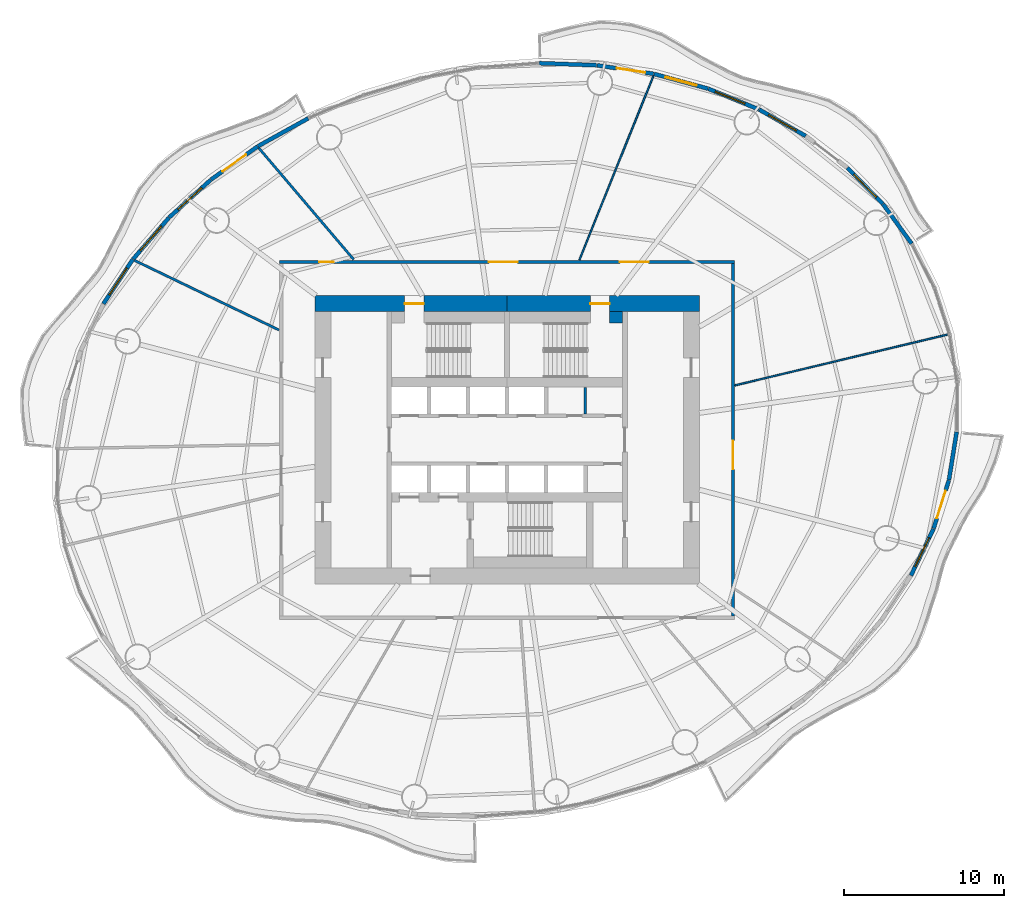
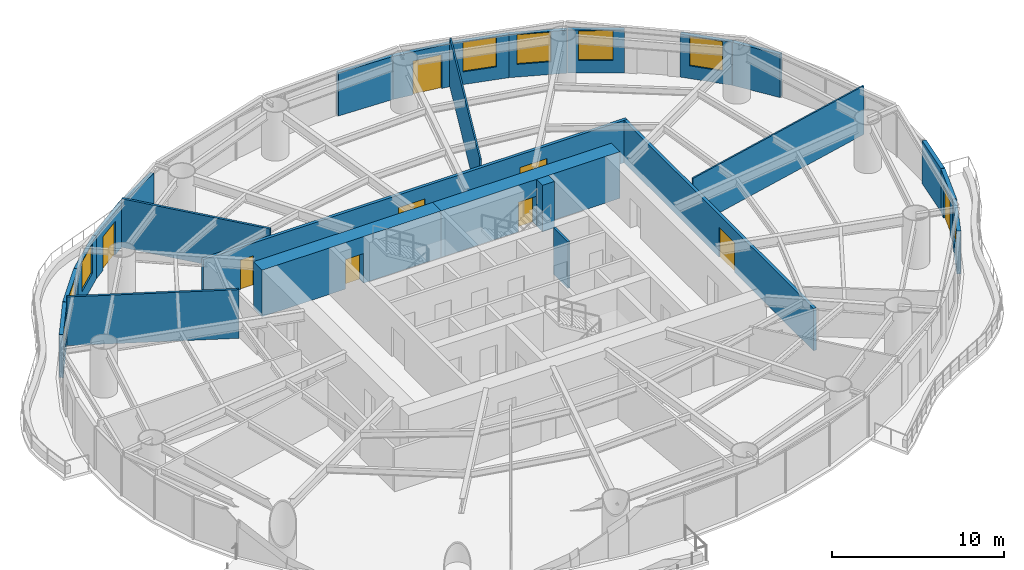
# One storey, part 10 of 16: 25 walls, 9 doors, 8 windows, 17 openings.
"""IFC4 building model written with IfcOpenShell, lengths in metres."""

from ifc_helpers import new_model, si_unit, direction, frame, frame_2d, origin, place, context, subcontext, project, spatial, rectangle, extrude, material, layer, layer_set, type_object, element, fill, save


model = new_model("IFC4")

# Units and contexts
model_context = context("Model", 3, precision=1e-05, world=origin(), true_north=direction((0.0, 1.0)))
body_context = subcontext(model_context, "Body", "Model", "MODEL_VIEW")
ifc_project = project(units=[si_unit("LENGTHUNIT", "METRE"), si_unit("AREAUNIT", "SQUARE_METRE"), si_unit("VOLUMEUNIT", "CUBIC_METRE"), si_unit("PLANEANGLEUNIT", "RADIAN"), si_unit("MASSUNIT", "GRAM", prefix="KILO")], contexts=[model_context])

# Site, building, storey
site_placement = place(None, origin())
site = spatial("IfcSite", under=ifc_project, at=site_placement, CompositionType="ELEMENT")
building_placement = place(site_placement, origin())
building = spatial("IfcBuilding", under=site, at=building_placement, Name="Vermilion Reach Broadcast Tower", CompositionType="ELEMENT")
storey_placement = place(building_placement, frame((0.0, 0.0, 88.60009765625)))
storey = spatial("IfcBuildingStorey", under=building, at=storey_placement, Name="L19", CompositionType="ELEMENT", Elevation=88.60009765625)

# Wall, opening, door
ifc_material_1 = material(Name="Concrete C70", Category="concrete")
ifc_layer_1 = layer(ifc_material_1, 1.0)
ifc_layer_set_1 = layer_set([ifc_layer_1], Name="Core outer wall 1000 mm Concrete C70")
wall_type_1 = type_object("IfcWallType", Name="Core outer wall 1000 mm Concrete C70", PredefinedType="SHEAR", material=ifc_layer_set_1)
wall_1_placement = place(storey_placement, frame((6.0, 8.5, 0.0), z_axis=(0.0, 0.0, 1.0), x_axis=(-1.0, 0.0, 0.0)))
wall_1 = element("IfcWall", 1, at=wall_1_placement, inside=storey, type_object=wall_type_1, Name="L19 core wall onE", PredefinedType="SHEAR", context=body_context, shape_type="SweptSolid", body=[
    extrude(rectangle(XDim=12.0, YDim=1.0, at=frame_2d((6.0, 0.0))), origin(), (0.0, 0.0, 1.0), 3.2998046875),
])
opening_1_placement = place(wall_1_placement, frame((5.60009765625, 0.0, 0.0)))
opening_1 = element("IfcOpeningElement", 2, at=opening_1_placement, cuts=wall_1, Name="Opening D01", PredefinedType="OPENING", context=body_context, shape_type="SweptSolid", body=[
    extrude(rectangle(XDim=1.199951171875, YDim=2.10009765625, at=frame_2d((0.60009765625, 1.050048828125))), frame((0.0, 0.510009765625, 0.0), z_axis=(0.0, -1.0, 0.0), x_axis=(1.0, 0.0, 0.0)), (0.0, 0.0, 1.0), 1.02001953125),
])
ifc_material_2 = material(Name="Painted steel fire door", Category="steel")
door_type_1 = type_object("IfcDoorType", Name="Stair door 1200 x 2100", OperationType="DOUBLE_DOOR_SINGLE_SWING", PredefinedType="NOTDEFINED", material=ifc_material_2)
door_1_placement = place(opening_1_placement, origin())
door_1 = element("IfcDoor", 3, at=door_1_placement, inside=storey, type_object=door_type_1, Name="L19 stair door ST2", OperationType="DOUBLE_DOOR_SINGLE_SWING", OverallHeight=2.10009765625, OverallWidth=1.199951171875, PredefinedType="NOTDEFINED", context=body_context, shape_type="SweptSolid", body=[
    extrude(rectangle(XDim=1.199951171875, YDim=2.10009765625, at=frame_2d((0.60009765625, 1.050048828125))), frame((0.0, 0.02490234375, 0.0), z_axis=(0.0, -1.0, 0.0), x_axis=(1.0, 0.0, 0.0)), (0.0, 0.0, 1.0), 0.050048828125),
])
fill(opening_1, door_1)

wall_2_placement = place(storey_placement, frame((-6.0, 8.5, 0.0), z_axis=(0.0, 0.0, 1.0), x_axis=(-1.0, 0.0, 0.0)))
wall_2 = element("IfcWall", 4, at=wall_2_placement, inside=storey, type_object=wall_type_1, Name="L19 core wall onW", PredefinedType="SHEAR", context=body_context, shape_type="SweptSolid", body=[
    extrude(rectangle(XDim=12.0, YDim=1.0, at=frame_2d((6.0, 0.0))), origin(), (0.0, 0.0, 1.0), 3.2998046875),
])
opening_2_placement = place(wall_2_placement, frame((5.199951171875, 0.0, 0.0)))
opening_2 = element("IfcOpeningElement", 5, at=opening_2_placement, cuts=wall_2, Name="Opening D01", PredefinedType="OPENING", context=body_context, shape_type="SweptSolid", body=[
    extrude(rectangle(XDim=1.199951171875, YDim=2.10009765625, at=frame_2d((0.60009765625, 1.050048828125))), frame((0.0, 0.510009765625, 0.0), z_axis=(0.0, -1.0, 0.0), x_axis=(1.0, 0.0, 0.0)), (0.0, 0.0, 1.0), 1.02001953125),
])
door_2_placement = place(opening_2_placement, origin())
door_2 = element("IfcDoor", 6, at=door_2_placement, inside=storey, type_object=door_type_1, Name="L19 stair door ST1", OperationType="DOUBLE_DOOR_SINGLE_SWING", OverallHeight=2.10009765625, OverallWidth=1.199951171875, PredefinedType="NOTDEFINED", context=body_context, shape_type="SweptSolid", body=[
    extrude(rectangle(XDim=1.199951171875, YDim=2.10009765625, at=frame_2d((0.60009765625, 1.050048828125))), frame((0.0, 0.02490234375, 0.0), z_axis=(0.0, -1.0, 0.0), x_axis=(1.0, 0.0, 0.0)), (0.0, 0.0, 1.0), 0.050048828125),
])
fill(opening_2, door_2)

# Walls
ifc_material_3 = material(Name="Masonry block", Category="masonry")
ifc_layer_2 = layer(ifc_material_3, 0.14990234375)
ifc_layer_set_2 = layer_set([ifc_layer_2], Name="Core partition wall 150 mm Masonry block")
wall_type_2 = type_object("IfcWallType", Name="Core partition wall 150 mm Masonry block", PredefinedType="PARTITIONING", material=ifc_layer_set_2)
wall_3_placement = place(storey_placement, frame((-1.11669921875, 1.60009765625, 0.0), z_axis=(0.0, 0.0, 1.0), x_axis=(0.0, 1.0, 0.0)))
element("IfcWall", 7, at=wall_3_placement, inside=storey, type_object=wall_type_2, Name="L19 core wall prN4883", PredefinedType="PARTITIONING", context=body_context, shape_type="SweptSolid", body=[
    extrude(rectangle(XDim=1.679931640625, YDim=0.14990234375, at=frame_2d((0.83984375, 0.0))), origin(), (0.0, 0.0, 1.0), 3.2998046875),
])
ifc_material_4 = material(Name="Concrete C70", Category="concrete")
ifc_layer_3 = layer(ifc_material_4, 0.699951171875)
ifc_layer_set_3 = layer_set([ifc_layer_3], Name="Core stair wall 700 mm Concrete C70")
wall_type_3 = type_object("IfcWallType", Name="Core stair wall 700 mm Concrete C70", PredefinedType="SHEAR", material=ifc_layer_set_3)
wall_4_placement = place(storey_placement, frame((0.39990234375, 7.64990234375, 0.0), z_axis=(0.0, 0.0, 1.0), x_axis=(1.0, 0.0, 0.0)))
element("IfcWall", 8, at=wall_4_placement, inside=storey, type_object=wall_type_3, Name="L19 core wall l2b", PredefinedType="SHEAR", context=body_context, shape_type="SweptSolid", body=[
    extrude(rectangle(XDim=0.800048828125, YDim=0.699951171875, at=frame_2d((0.39990234375, 0.0))), origin(), (0.0, 0.0, 1.0), 3.2998046875),
])
ifc_material_5 = material(Name="Plasterboard on steel stud", Category="steel")
ifc_layer_4 = layer(ifc_material_5, 0.10009765625)
ifc_layer_set_4 = layer_set([ifc_layer_4], Name="Partition 100 steel stud")
wall_type_4 = type_object("IfcWallType", Name="Partition 100 steel stud", PredefinedType="PARTITIONING", material=ifc_layer_set_4)
wall_5_placement = place(storey_placement, frame((21.483642578125, 6.56787109375, 0.0), z_axis=(0.0, 0.0, 1.0), x_axis=(-0.972613719836, -0.232427519856, 0.0)))
element("IfcWall", 9, at=wall_5_placement, inside=storey, type_object=wall_type_4, Name="Partition 19.01", PredefinedType="PARTITIONING", context=body_context, shape_type="SweptSolid", body=[
    extrude(rectangle(XDim=13.645751953125, YDim=0.10009765625, at=frame_2d((6.82275390625, 0.0))), origin(), (0.0, 0.0, 1.0), 3.449951171875),
])
wall_6_placement = place(storey_placement, frame((3.130126953125, 22.71484375, 0.0), z_axis=(0.0, 0.0, 1.0), x_axis=(-0.372949536222, -0.927851627919, 0.0)))
element("IfcWall", 10, at=wall_6_placement, inside=storey, type_object=wall_type_4, Name="Partition 19.02", PredefinedType="PARTITIONING", context=body_context, shape_type="SweptSolid", body=[
    extrude(rectangle(XDim=12.389892578125, YDim=0.10009765625, at=frame_2d((6.19482421875, 0.0))), origin(), (0.0, 0.0, 1.0), 3.449951171875),
])
ifc_material_6 = material(Name="Lightweight concrete block, plastered", Category="concrete")
ifc_layer_5 = layer(ifc_material_6, 0.14990234375)
ifc_layer_set_5 = layer_set([ifc_layer_5], Name="Partition 150 lightweight block")
wall_type_5 = type_object("IfcWallType", Name="Partition 150 lightweight block", PredefinedType="PARTITIONING", material=ifc_layer_set_5)
wall_7_placement = place(storey_placement, frame((-21.496337890625, 18.208984375, 0.0), z_axis=(0.0, 0.0, 1.0), x_axis=(0.648105775004, -0.761550329529, 0.0)))
element("IfcWall", 11, at=wall_7_placement, inside=storey, type_object=wall_type_5, Name="Partition 19.03", PredefinedType="PARTITIONING", context=body_context, shape_type="SweptSolid", body=[
    extrude(rectangle(XDim=9.139892578125, YDim=0.14990234375, at=frame_2d((4.56982421875, 0.0))), origin(), (0.0, 0.0, 1.0), 3.449951171875),
])
wall_8_placement = place(storey_placement, frame((-29.250732421875, 11.193359375, 0.0), z_axis=(0.0, 0.0, 1.0), x_axis=(0.901024974185, -0.433767213946, 0.0)))
element("IfcWall", 12, at=wall_8_placement, inside=storey, type_object=wall_type_5, Name="Partition 19.04", PredefinedType="PARTITIONING", context=body_context, shape_type="SweptSolid", body=[
    extrude(rectangle(XDim=10.009033203125, YDim=0.14990234375, at=frame_2d((5.00439453125, 0.0))), origin(), (0.0, 0.0, 1.0), 3.449951171875),
])
ifc_material_7 = material(Name="Terracotta rainscreen cladding", Category="masonry")
ifc_layer_6 = layer(ifc_material_7, 0.25)
ifc_layer_set_6 = layer_set([ifc_layer_6], Name="Terracotta rainscreen wall 250")
wall_type_6 = type_object("IfcWallType", Name="Terracotta rainscreen wall 250", PredefinedType="SOLIDWALL", material=ifc_layer_set_6)
wall_9_placement = place(storey_placement, frame((19.24462890625, 12.24365234375, 0.0), z_axis=(0.0, 0.0, 1.0), x_axis=(-0.586957033691, 0.809618083173, 0.0)))
element("IfcWall", 13, at=wall_9_placement, inside=storey, type_object=wall_type_6, Name="External wall L19 02", PredefinedType="SOLIDWALL", context=body_context, shape_type="SweptSolid", body=[
    extrude(rectangle(XDim=3.037109375, YDim=0.25, at=frame_2d((1.5185546875, 0.0))), origin(), (0.0, 0.0, 1.0), 3.0498046875),
])

# Wall, opening, window
wall_10_placement = place(storey_placement, frame((17.444580078125, 14.722900390625, 0.0), z_axis=(0.0, 0.0, 1.0), x_axis=(-0.700641049886, 0.71351392363, 0.0)))
wall_10 = element("IfcWall", 14, at=wall_10_placement, inside=storey, type_object=wall_type_6, Name="External wall L19 03", PredefinedType="SOLIDWALL", context=body_context, shape_type="SweptSolid", body=[
    extrude(rectangle(XDim=3.148193359375, YDim=0.25, at=frame_2d((1.57421875, 0.0))), origin(), (0.0, 0.0, 1.0), 3.0498046875),
])
opening_3_placement = place(wall_10_placement, frame((0.57421875, 0.0, 0.89990234375)))
opening_3 = element("IfcOpeningElement", 15, at=opening_3_placement, cuts=wall_10, Name="Opening W03", PredefinedType="OPENING", context=body_context, shape_type="SweptSolid", body=[
    extrude(rectangle(XDim=2.0, YDim=2.10009765625, at=frame_2d((1.0, 1.050048828125))), frame((0.0, 0.135009765625, 0.0), z_axis=(0.0, -1.0, 0.0), x_axis=(1.0, 0.0, 0.0)), (0.0, 0.0, 1.0), 0.27001953125),
])
ifc_material_8 = material(Name="Low-e laminated clear glass in aluminium frame", Category="aluminium")
window_type = type_object("IfcWindowType", Name="Punched window 2000 x 2100 sill 900", PartitioningType="SINGLE_PANEL", PredefinedType="WINDOW", material=ifc_material_8)
window_1_placement = place(opening_3_placement, origin())
window_1 = element("IfcWindow", 16, at=window_1_placement, inside=storey, type_object=window_type, Name="Window L19 03", OverallHeight=2.10009765625, OverallWidth=2.0, PartitioningType="SINGLE_PANEL", PredefinedType="WINDOW", context=body_context, shape_type="SweptSolid", body=[
    extrude(rectangle(XDim=2.0, YDim=2.10009765625, at=frame_2d((1.0, 1.050048828125))), frame((0.0, 0.030029296875, 0.0), z_axis=(0.0, -1.0, 0.0), x_axis=(1.0, 0.0, 0.0)), (0.0, 0.0, 1.0), 0.06005859375),
])
fill(opening_3, window_1)

wall_11_placement = place(storey_placement, frame((12.63037109375, 18.961181640625, 0.0), z_axis=(0.0, 0.0, 1.0), x_axis=(-0.869344607867, 0.494206386819, 0.0)))
wall_11 = element("IfcWall", 17, at=wall_11_placement, inside=storey, type_object=wall_type_6, Name="External wall L19 05", PredefinedType="SOLIDWALL", context=body_context, shape_type="SweptSolid", body=[
    extrude(rectangle(XDim=3.32177734375, YDim=0.25, at=frame_2d((1.660888671875, 0.0))), origin(), (0.0, 0.0, 1.0), 3.0498046875),
])
opening_4_placement = place(wall_11_placement, frame((0.660888671875, 0.0, 0.89990234375)))
opening_4 = element("IfcOpeningElement", 18, at=opening_4_placement, cuts=wall_11, Name="Opening W03", PredefinedType="OPENING", context=body_context, shape_type="SweptSolid", body=[
    extrude(rectangle(XDim=2.0, YDim=2.10009765625, at=frame_2d((1.0, 1.050048828125))), frame((0.0, 0.135009765625, 0.0), z_axis=(0.0, -1.0, 0.0), x_axis=(1.0, 0.0, 0.0)), (0.0, 0.0, 1.0), 0.27001953125),
])
window_2_placement = place(opening_4_placement, origin())
window_2 = element("IfcWindow", 19, at=window_2_placement, inside=storey, type_object=window_type, Name="Window L19 05", OverallHeight=2.10009765625, OverallWidth=2.0, PartitioningType="SINGLE_PANEL", PredefinedType="WINDOW", context=body_context, shape_type="SweptSolid", body=[
    extrude(rectangle(XDim=2.0, YDim=2.10009765625, at=frame_2d((1.0, 1.050048828125))), frame((0.0, 0.030029296875, 0.0), z_axis=(0.0, -1.0, 0.0), x_axis=(1.0, 0.0, 0.0)), (0.0, 0.0, 1.0), 0.06005859375),
])
fill(opening_4, window_2)

wall_12_placement = place(storey_placement, frame((9.72119140625, 20.61328125, 0.0), z_axis=(0.0, 0.0, 1.0), x_axis=(-0.925471723518, 0.378816695735, 0.0)))
wall_12 = element("IfcWall", 20, at=wall_12_placement, inside=storey, type_object=wall_type_6, Name="External wall L19 06", PredefinedType="SOLIDWALL", context=body_context, shape_type="SweptSolid", body=[
    extrude(rectangle(XDim=3.41259765625, YDim=0.25, at=frame_2d((1.706298828125, 0.0))), origin(), (0.0, 0.0, 1.0), 3.0498046875),
])
opening_5_placement = place(wall_12_placement, frame((0.9560546875, 0.0, 0.89990234375)))
opening_5 = element("IfcOpeningElement", 21, at=opening_5_placement, cuts=wall_12, Name="Opening W03", PredefinedType="OPENING", context=body_context, shape_type="SweptSolid", body=[
    extrude(rectangle(XDim=2.0, YDim=2.10009765625, at=frame_2d((1.0, 1.050048828125))), frame((0.0, 0.135009765625, 0.0), z_axis=(0.0, -1.0, 0.0), x_axis=(1.0, 0.0, 0.0)), (0.0, 0.0, 1.0), 0.27001953125),
])
window_3_placement = place(opening_5_placement, origin())
window_3 = element("IfcWindow", 22, at=window_3_placement, inside=storey, type_object=window_type, Name="Window L19 06", OverallHeight=2.10009765625, OverallWidth=2.0, PartitioningType="SINGLE_PANEL", PredefinedType="WINDOW", context=body_context, shape_type="SweptSolid", body=[
    extrude(rectangle(XDim=2.0, YDim=2.10009765625, at=frame_2d((1.0, 1.050048828125))), frame((0.0, 0.030029296875, 0.0), z_axis=(0.0, -1.0, 0.0), x_axis=(1.0, 0.0, 0.0)), (0.0, 0.0, 1.0), 0.06005859375),
])
fill(opening_5, window_3)

wall_13_placement = place(storey_placement, frame((6.541015625, 21.913330078125, 0.0), z_axis=(0.0, 0.0, 1.0), x_axis=(-0.964717093179, 0.263288682112, 0.0)))
wall_13 = element("IfcWall", 23, at=wall_13_placement, inside=storey, type_object=wall_type_6, Name="External wall L19 07", PredefinedType="SOLIDWALL", context=body_context, shape_type="SweptSolid", body=[
    extrude(rectangle(XDim=3.49755859375, YDim=0.25, at=frame_2d((1.748779296875, 0.0))), origin(), (0.0, 0.0, 1.0), 3.0498046875),
])
opening_6_placement = place(wall_13_placement, frame((0.748779296875, 0.0, 0.89990234375)))
opening_6 = element("IfcOpeningElement", 24, at=opening_6_placement, cuts=wall_13, Name="Opening W03", PredefinedType="OPENING", context=body_context, shape_type="SweptSolid", body=[
    extrude(rectangle(XDim=2.0, YDim=2.10009765625, at=frame_2d((1.0, 1.050048828125))), frame((0.0, 0.135009765625, 0.0), z_axis=(0.0, -1.0, 0.0), x_axis=(1.0, 0.0, 0.0)), (0.0, 0.0, 1.0), 0.27001953125),
])
window_4_placement = place(opening_6_placement, origin())
window_4 = element("IfcWindow", 25, at=window_4_placement, inside=storey, type_object=window_type, Name="Window L19 07", OverallHeight=2.10009765625, OverallWidth=2.0, PartitioningType="SINGLE_PANEL", PredefinedType="WINDOW", context=body_context, shape_type="SweptSolid", body=[
    extrude(rectangle(XDim=2.0, YDim=2.10009765625, at=frame_2d((1.0, 1.050048828125))), frame((0.0, 0.030029296875, 0.0), z_axis=(0.0, -1.0, 0.0), x_axis=(1.0, 0.0, 0.0)), (0.0, 0.0, 1.0), 0.06005859375),
])
fill(opening_6, window_4)

# Wall, opening, door
wall_14_placement = place(storey_placement, frame((3.14453125, 22.8388671875, 0.0), z_axis=(0.0, 0.0, 1.0), x_axis=(-0.988850976046, 0.148908519475, 0.0)))
wall_14 = element("IfcWall", 26, at=wall_14_placement, inside=storey, type_object=wall_type_6, Name="External wall L19 08", PredefinedType="SOLIDWALL", context=body_context, shape_type="SweptSolid", body=[
    extrude(rectangle(XDim=3.572509765625, YDim=0.25, at=frame_2d((1.7861328125, 0.0))), origin(), (0.0, 0.0, 1.0), 3.0498046875),
])
opening_7_placement = place(wall_14_placement, frame((0.535888671875, 0.0, 0.0)))
opening_7 = element("IfcOpeningElement", 27, at=opening_7_placement, cuts=wall_14, Name="Opening D70", PredefinedType="OPENING", context=body_context, shape_type="SweptSolid", body=[
    extrude(rectangle(XDim=1.800048828125, YDim=2.39990234375, at=frame_2d((0.89990234375, 1.199951171875))), frame((0.0, 0.135009765625, 0.0), z_axis=(0.0, -1.0, 0.0), x_axis=(1.0, 0.0, 0.0)), (0.0, 0.0, 1.0), 0.27001953125),
])
ifc_material_9 = material(Name="Low-e laminated clear glass in aluminium frame", Category="aluminium")
door_type_2 = type_object("IfcDoorType", Name="Balcony sliding door 1800 x 2400", OperationType="DOUBLE_DOOR_SLIDING", PredefinedType="DOOR", material=ifc_material_9)
door_3_placement = place(opening_7_placement, origin())
door_3 = element("IfcDoor", 28, at=door_3_placement, inside=storey, type_object=door_type_2, Name="Balcony door L19 run 02", OperationType="DOUBLE_DOOR_SLIDING", OverallHeight=2.39990234375, OverallWidth=1.800048828125, PredefinedType="DOOR", context=body_context, shape_type="SweptSolid", body=[
    extrude(rectangle(XDim=1.800048828125, YDim=2.39990234375, at=frame_2d((0.89990234375, 1.199951171875))), frame((0.0, 0.02490234375, 0.0), z_axis=(0.0, -1.0, 0.0), x_axis=(1.0, 0.0, 0.0)), (0.0, 0.0, 1.0), 0.050048828125),
])
fill(opening_7, door_3)

# Walls
wall_15_placement = place(storey_placement, frame((-0.41015625, 23.372802734375, 0.0), z_axis=(0.0, 0.0, 1.0), x_axis=(-0.999324862533, 0.036739884652, 0.0)))
element("IfcWall", 29, at=wall_15_placement, inside=storey, type_object=wall_type_6, Name="External wall L19 09", PredefinedType="SOLIDWALL", context=body_context, shape_type="SweptSolid", body=[
    extrude(rectangle(XDim=3.58837890625, YDim=0.25, at=frame_2d((1.794189453125, 0.0))), origin(), (0.0, 0.0, 1.0), 3.0498046875),
])
wall_16_placement = place(storey_placement, frame((-18.41455078125, 20.05908203125, 0.0), z_axis=(0.0, 0.0, 1.0), x_axis=(-0.874740773149, -0.484591147042, 0.0)))
element("IfcWall", 30, at=wall_16_placement, inside=storey, type_object=wall_type_6, Name="External wall L19 14", PredefinedType="SOLIDWALL", context=body_context, shape_type="SweptSolid", body=[
    extrude(rectangle(XDim=3.588134765625, YDim=0.25, at=frame_2d((1.7939453125, 0.0))), origin(), (0.0, 0.0, 1.0), 3.0498046875),
])

# Wall, opening, door
wall_17_placement = place(storey_placement, frame((-21.572021484375, 18.308349609375, 0.0), z_axis=(0.0, 0.0, 1.0), x_axis=(-0.814702052805, -0.579879785089, 0.0)))
wall_17 = element("IfcWall", 31, at=wall_17_placement, inside=storey, type_object=wall_type_6, Name="External wall L19 15", PredefinedType="SOLIDWALL", context=body_context, shape_type="SweptSolid", body=[
    extrude(rectangle(XDim=3.572265625, YDim=0.25, at=frame_2d((1.7861328125, 0.0))), origin(), (0.0, 0.0, 1.0), 3.0498046875),
])
opening_8_placement = place(wall_17_placement, frame((0.885986328125, 0.0, 0.0)))
opening_8 = element("IfcOpeningElement", 32, at=opening_8_placement, cuts=wall_17, Name="Opening D70", PredefinedType="OPENING", context=body_context, shape_type="SweptSolid", body=[
    extrude(rectangle(XDim=1.800048828125, YDim=2.39990234375, at=frame_2d((0.89990234375, 1.199951171875))), frame((0.0, 0.135009765625, 0.0), z_axis=(0.0, -1.0, 0.0), x_axis=(1.0, 0.0, 0.0)), (0.0, 0.0, 1.0), 0.27001953125),
])
door_4_placement = place(opening_8_placement, origin())
door_4 = element("IfcDoor", 33, at=door_4_placement, inside=storey, type_object=door_type_2, Name="Balcony door L19 run 04", OperationType="DOUBLE_DOOR_SLIDING", OverallHeight=2.39990234375, OverallWidth=1.800048828125, PredefinedType="DOOR", context=body_context, shape_type="SweptSolid", body=[
    extrude(rectangle(XDim=1.800048828125, YDim=2.39990234375, at=frame_2d((0.89990234375, 1.199951171875))), frame((0.0, 0.02490234375, 0.0), z_axis=(0.0, -1.0, 0.0), x_axis=(1.0, 0.0, 0.0)), (0.0, 0.0, 1.0), 0.050048828125),
])
fill(opening_8, door_4)

# Wall, opening, window
wall_18_placement = place(storey_placement, frame((-24.5, 16.22265625, 0.0), z_axis=(0.0, 0.0, 1.0), x_axis=(-0.741507668803, -0.670944391962, 0.0)))
wall_18 = element("IfcWall", 34, at=wall_18_placement, inside=storey, type_object=wall_type_6, Name="External wall L19 16", PredefinedType="SOLIDWALL", context=body_context, shape_type="SweptSolid", body=[
    extrude(rectangle(XDim=3.498046875, YDim=0.25, at=frame_2d((1.7490234375, 0.0))), origin(), (0.0, 0.0, 1.0), 3.0498046875),
])
opening_9_placement = place(wall_18_placement, frame((0.748779296875, 0.0, 0.89990234375)))
opening_9 = element("IfcOpeningElement", 35, at=opening_9_placement, cuts=wall_18, Name="Opening W03", PredefinedType="OPENING", context=body_context, shape_type="SweptSolid", body=[
    extrude(rectangle(XDim=2.0, YDim=2.10009765625, at=frame_2d((1.0, 1.050048828125))), frame((0.0, 0.135009765625, 0.0), z_axis=(0.0, -1.0, 0.0), x_axis=(1.0, 0.0, 0.0)), (0.0, 0.0, 1.0), 0.27001953125),
])
window_5_placement = place(opening_9_placement, origin())
window_5 = element("IfcWindow", 36, at=window_5_placement, inside=storey, type_object=window_type, Name="Window L19 16", OverallHeight=2.10009765625, OverallWidth=2.0, PartitioningType="SINGLE_PANEL", PredefinedType="WINDOW", context=body_context, shape_type="SweptSolid", body=[
    extrude(rectangle(XDim=2.0, YDim=2.10009765625, at=frame_2d((1.0, 1.050048828125))), frame((0.0, 0.030029296875, 0.0), z_axis=(0.0, -1.0, 0.0), x_axis=(1.0, 0.0, 0.0)), (0.0, 0.0, 1.0), 0.06005859375),
])
fill(opening_9, window_5)

wall_19_placement = place(storey_placement, frame((-27.10986328125, 13.859130859375, 0.0), z_axis=(0.0, 0.0, 1.0), x_axis=(-0.654178480437, -0.756340211633, 0.0)))
wall_19 = element("IfcWall", 37, at=wall_19_placement, inside=storey, type_object=wall_type_6, Name="External wall L19 17", PredefinedType="SOLIDWALL", context=body_context, shape_type="SweptSolid", body=[
    extrude(rectangle(XDim=3.41259765625, YDim=0.25, at=frame_2d((1.706298828125, 0.0))), origin(), (0.0, 0.0, 1.0), 3.0498046875),
])
opening_10_placement = place(wall_19_placement, frame((0.706298828125, 0.0, 0.89990234375)))
opening_10 = element("IfcOpeningElement", 38, at=opening_10_placement, cuts=wall_19, Name="Opening W03", PredefinedType="OPENING", context=body_context, shape_type="SweptSolid", body=[
    extrude(rectangle(XDim=2.0, YDim=2.10009765625, at=frame_2d((1.0, 1.050048828125))), frame((0.0, 0.135009765625, 0.0), z_axis=(0.0, -1.0, 0.0), x_axis=(1.0, 0.0, 0.0)), (0.0, 0.0, 1.0), 0.27001953125),
])
window_6_placement = place(opening_10_placement, origin())
window_6 = element("IfcWindow", 39, at=window_6_placement, inside=storey, type_object=window_type, Name="Window L19 17", OverallHeight=2.10009765625, OverallWidth=2.0, PartitioningType="SINGLE_PANEL", PredefinedType="WINDOW", context=body_context, shape_type="SweptSolid", body=[
    extrude(rectangle(XDim=2.0, YDim=2.10009765625, at=frame_2d((1.0, 1.050048828125))), frame((0.0, 0.030029296875, 0.0), z_axis=(0.0, -1.0, 0.0), x_axis=(1.0, 0.0, 0.0)), (0.0, 0.0, 1.0), 0.06005859375),
])
fill(opening_10, window_6)

wall_20_placement = place(storey_placement, frame((-29.356689453125, 11.259033203125, 0.0), z_axis=(0.0, 0.0, 1.0), x_axis=(-0.551983407384, -0.83385509411, 0.0)))
wall_20 = element("IfcWall", 40, at=wall_20_placement, inside=storey, type_object=wall_type_6, Name="External wall L19 18", PredefinedType="SOLIDWALL", context=body_context, shape_type="SweptSolid", body=[
    extrude(rectangle(XDim=3.321533203125, YDim=0.25, at=frame_2d((1.66064453125, 0.0))), origin(), (0.0, 0.0, 1.0), 3.0498046875),
])
opening_11_placement = place(wall_20_placement, frame((0.660888671875, 0.0, 0.89990234375)))
opening_11 = element("IfcOpeningElement", 41, at=opening_11_placement, cuts=wall_20, Name="Opening W03", PredefinedType="OPENING", context=body_context, shape_type="SweptSolid", body=[
    extrude(rectangle(XDim=2.0, YDim=2.10009765625, at=frame_2d((1.0, 1.050048828125))), frame((0.0, 0.135009765625, 0.0), z_axis=(0.0, -1.0, 0.0), x_axis=(1.0, 0.0, 0.0)), (0.0, 0.0, 1.0), 0.27001953125),
])
window_7_placement = place(opening_11_placement, origin())
window_7 = element("IfcWindow", 42, at=window_7_placement, inside=storey, type_object=window_type, Name="Window L19 18", OverallHeight=2.10009765625, OverallWidth=2.0, PartitioningType="SINGLE_PANEL", PredefinedType="WINDOW", context=body_context, shape_type="SweptSolid", body=[
    extrude(rectangle(XDim=2.0, YDim=2.10009765625, at=frame_2d((1.0, 1.050048828125))), frame((0.0, 0.030029296875, 0.0), z_axis=(0.0, -1.0, 0.0), x_axis=(1.0, 0.0, 0.0)), (0.0, 0.0, 1.0), 0.06005859375),
])
fill(opening_11, window_7)

wall_21_placement = place(storey_placement, frame((19.20263671875, -8.467529296875, 0.0), z_axis=(0.0, 0.0, 1.0), x_axis=(0.434506070547, 0.900668904014, 0.0)))
wall_21 = element("IfcWall", 43, at=wall_21_placement, inside=storey, type_object=wall_type_6, Name="External wall L19 43", PredefinedType="SOLIDWALL", context=body_context, shape_type="SweptSolid", body=[
    extrude(rectangle(XDim=3.2314453125, YDim=0.25, at=frame_2d((1.61572265625, 0.0))), origin(), (0.0, 0.0, 1.0), 3.0498046875),
])
opening_12_placement = place(wall_21_placement, frame((0.61572265625, 0.0, 0.89990234375)))
opening_12 = element("IfcOpeningElement", 44, at=opening_12_placement, cuts=wall_21, Name="Opening W03", PredefinedType="OPENING", context=body_context, shape_type="SweptSolid", body=[
    extrude(rectangle(XDim=2.0, YDim=2.10009765625, at=frame_2d((1.0, 1.050048828125))), frame((0.0, 0.135009765625, 0.0), z_axis=(0.0, -1.0, 0.0), x_axis=(1.0, 0.0, 0.0)), (0.0, 0.0, 1.0), 0.27001953125),
])
window_8_placement = place(opening_12_placement, origin())
window_8 = element("IfcWindow", 45, at=window_8_placement, inside=storey, type_object=window_type, Name="Window L19 43", OverallHeight=2.10009765625, OverallWidth=2.0, PartitioningType="SINGLE_PANEL", PredefinedType="WINDOW", context=body_context, shape_type="SweptSolid", body=[
    extrude(rectangle(XDim=2.0, YDim=2.10009765625, at=frame_2d((1.0, 1.050048828125))), frame((0.0, 0.030029296875, 0.0), z_axis=(0.0, -1.0, 0.0), x_axis=(1.0, 0.0, 0.0)), (0.0, 0.0, 1.0), 0.06005859375),
])
fill(opening_12, window_8)

# Wall, opening, door
wall_22_placement = place(storey_placement, frame((20.6162109375, -5.533203125, 0.0), z_axis=(0.0, 0.0, 1.0), x_axis=(0.302352129866, 0.953196301695, 0.0)))
wall_22 = element("IfcWall", 46, at=wall_22_placement, inside=storey, type_object=wall_type_6, Name="External wall L19 44", PredefinedType="SOLIDWALL", context=body_context, shape_type="SweptSolid", body=[
    extrude(rectangle(XDim=3.1484375, YDim=0.25, at=frame_2d((1.57421875, 0.0))), origin(), (0.0, 0.0, 1.0), 3.0498046875),
])
opening_13_placement = place(wall_22_placement, frame((0.674072265625, 0.0, 0.0)))
opening_13 = element("IfcOpeningElement", 47, at=opening_13_placement, cuts=wall_22, Name="Opening D70", PredefinedType="OPENING", context=body_context, shape_type="SweptSolid", body=[
    extrude(rectangle(XDim=1.800048828125, YDim=2.39990234375, at=frame_2d((0.89990234375, 1.199951171875))), frame((0.0, 0.135009765625, 0.0), z_axis=(0.0, -1.0, 0.0), x_axis=(1.0, 0.0, 0.0)), (0.0, 0.0, 1.0), 0.27001953125),
])
door_5_placement = place(opening_13_placement, origin())
door_5 = element("IfcDoor", 48, at=door_5_placement, inside=storey, type_object=door_type_2, Name="Balcony door L19 run 11", OperationType="DOUBLE_DOOR_SLIDING", OverallHeight=2.39990234375, OverallWidth=1.800048828125, PredefinedType="DOOR", context=body_context, shape_type="SweptSolid", body=[
    extrude(rectangle(XDim=1.800048828125, YDim=2.39990234375, at=frame_2d((0.89990234375, 1.199951171875))), frame((0.0, 0.02490234375, 0.0), z_axis=(0.0, -1.0, 0.0), x_axis=(1.0, 0.0, 0.0)), (0.0, 0.0, 1.0), 0.050048828125),
])
fill(opening_13, door_5)

# Wall
wall_23_placement = place(storey_placement, frame((21.57421875, -2.506591796875, 0.0), z_axis=(0.0, 0.0, 1.0), x_axis=(0.157539068882, 0.987512755247, 0.0)))
element("IfcWall", 49, at=wall_23_placement, inside=storey, type_object=wall_type_6, Name="External wall L19 45", PredefinedType="SOLIDWALL", context=body_context, shape_type="SweptSolid", body=[
    extrude(rectangle(XDim=3.037353515625, YDim=0.25, at=frame_2d((1.5185546875, 0.0))), origin(), (0.0, 0.0, 1.0), 3.0498046875),
])

# Wall, openings, doors
ifc_material_10 = material(Name="Fire-rated gypsum board partition")
ifc_layer_7 = layer(ifc_material_10, 0.199951171875)
ifc_layer_set_7 = layer_set([ifc_layer_7], Name="Under girder: Corridor wall 200 fire-rated")
wall_type_7 = type_object("IfcWallType", Name="Under girder: Corridor wall 200 fire-rated", PredefinedType="PARTITIONING", material=ifc_layer_set_7)
wall_24_placement = place(storey_placement, frame((-20.199951171875, 11.10009765625, 0.0), z_axis=(0.0, 0.0, 1.0), x_axis=(1.0, 0.0, 0.0)))
wall_24 = element("IfcWall", 50, at=wall_24_placement, inside=storey, type_object=wall_type_7, Name="Corridor wall 19.N", PredefinedType="PARTITIONING", context=body_context, shape_type="SweptSolid", body=[
    extrude(rectangle(XDim=28.39990234375, YDim=0.199951171875, at=frame_2d((14.199951171875, 0.0))), origin(), (0.0, 0.0, 1.0), 3.0),
])
opening_14_placement = place(wall_24_placement, frame((21.231201171875, 0.0, 0.0)))
opening_14 = element("IfcOpeningElement", 51, at=opening_14_placement, cuts=wall_24, Name="Opening D21", PredefinedType="OPENING", context=body_context, shape_type="SweptSolid", body=[
    extrude(rectangle(XDim=1.800048828125, YDim=2.10009765625, at=frame_2d((0.89990234375, 1.050048828125))), frame((0.0, 0.10986328125, 0.0), z_axis=(0.0, -1.0, 0.0), x_axis=(1.0, 0.0, 0.0)), (0.0, 0.0, 1.0), 0.219970703125),
])
opening_15_placement = place(wall_24_placement, frame((13.061767578125, 0.0, 0.0)))
opening_15 = element("IfcOpeningElement", 52, at=opening_15_placement, cuts=wall_24, Name="Opening D21", PredefinedType="OPENING", context=body_context, shape_type="SweptSolid", body=[
    extrude(rectangle(XDim=1.800048828125, YDim=2.10009765625, at=frame_2d((0.89990234375, 1.050048828125))), frame((0.0, 0.10986328125, 0.0), z_axis=(0.0, -1.0, 0.0), x_axis=(1.0, 0.0, 0.0)), (0.0, 0.0, 1.0), 0.219970703125),
])
opening_16_placement = place(wall_24_placement, frame((2.468017578125, 0.0, 0.0)))
opening_16 = element("IfcOpeningElement", 53, at=opening_16_placement, cuts=wall_24, Name="Opening D22", PredefinedType="OPENING", context=body_context, shape_type="SweptSolid", body=[
    extrude(rectangle(XDim=0.89990234375, YDim=2.10009765625, at=frame_2d((0.449951171875, 1.050048828125))), frame((0.0, 0.10986328125, 0.0), z_axis=(0.0, -1.0, 0.0), x_axis=(1.0, 0.0, 0.0)), (0.0, 0.0, 1.0), 0.219970703125),
])
ifc_material_11 = material(Name="Timber door leaf", Category="wood")
door_type_3 = type_object("IfcDoorType", Name="Door pair 1800x2100", OperationType="NOTDEFINED", PredefinedType="DOOR", material=ifc_material_11)
door_6_placement = place(opening_14_placement, origin())
door_6 = element("IfcDoor", 54, at=door_6_placement, inside=storey, type_object=door_type_3, Name="Door 19.01", OperationType="DOUBLE_DOOR_SINGLE_SWING", OverallHeight=2.10009765625, OverallWidth=1.800048828125, PredefinedType="DOOR", context=body_context, shape_type="SweptSolid", body=[
    extrude(rectangle(XDim=1.800048828125, YDim=2.10009765625, at=frame_2d((0.89990234375, 1.050048828125))), frame((0.0, 0.02490234375, 0.0), z_axis=(0.0, -1.0, 0.0), x_axis=(1.0, 0.0, 0.0)), (0.0, 0.0, 1.0), 0.050048828125),
])
fill(opening_14, door_6)
door_7_placement = place(opening_15_placement, origin())
door_7 = element("IfcDoor", 55, at=door_7_placement, inside=storey, type_object=door_type_3, Name="Door 19.02", OperationType="DOUBLE_DOOR_SINGLE_SWING", OverallHeight=2.10009765625, OverallWidth=1.800048828125, PredefinedType="DOOR", context=body_context, shape_type="SweptSolid", body=[
    extrude(rectangle(XDim=1.800048828125, YDim=2.10009765625, at=frame_2d((0.89990234375, 1.050048828125))), frame((0.0, 0.02490234375, 0.0), z_axis=(0.0, -1.0, 0.0), x_axis=(1.0, 0.0, 0.0)), (0.0, 0.0, 1.0), 0.050048828125),
])
fill(opening_15, door_7)
ifc_material_12 = material(Name="Timber door leaf", Category="wood")
door_type_4 = type_object("IfcDoorType", Name="Door single 900x2100", OperationType="NOTDEFINED", PredefinedType="DOOR", material=ifc_material_12)
door_8_placement = place(opening_16_placement, origin())
door_8 = element("IfcDoor", 56, at=door_8_placement, inside=storey, type_object=door_type_4, Name="Door 19.03", OperationType="SINGLE_SWING_RIGHT", OverallHeight=2.10009765625, OverallWidth=0.89990234375, PredefinedType="DOOR", context=body_context, shape_type="SweptSolid", body=[
    extrude(rectangle(XDim=0.89990234375, YDim=2.10009765625, at=frame_2d((0.449951171875, 1.050048828125))), frame((0.0, 0.02490234375, 0.0), z_axis=(0.0, -1.0, 0.0), x_axis=(1.0, 0.0, 0.0)), (0.0, 0.0, 1.0), 0.050048828125),
])
fill(opening_16, door_8)

# Wall, opening, door
wall_25_placement = place(storey_placement, frame((8.10009765625, 11.0, 0.0), z_axis=(0.0, 0.0, 1.0), x_axis=(0.0, -1.0, 0.0)))
wall_25 = element("IfcWall", 57, at=wall_25_placement, inside=storey, type_object=wall_type_7, Name="Corridor wall 19.E", PredefinedType="PARTITIONING", context=body_context, shape_type="SweptSolid", body=[
    extrude(rectangle(XDim=22.0, YDim=0.199951171875, at=frame_2d((11.0, 0.0))), origin(), (0.0, 0.0, 1.0), 3.0),
])
opening_17_placement = place(wall_25_placement, frame((11.04345703125, 0.0, 0.0)))
opening_17 = element("IfcOpeningElement", 58, at=opening_17_placement, cuts=wall_25, Name="Opening D21", PredefinedType="OPENING", context=body_context, shape_type="SweptSolid", body=[
    extrude(rectangle(XDim=1.800048828125, YDim=2.10009765625, at=frame_2d((0.89990234375, 1.050048828125))), frame((0.0, 0.10986328125, 0.0), z_axis=(0.0, -1.0, 0.0), x_axis=(1.0, 0.0, 0.0)), (0.0, 0.0, 1.0), 0.219970703125),
])
door_9_placement = place(opening_17_placement, origin())
door_9 = element("IfcDoor", 59, at=door_9_placement, inside=storey, type_object=door_type_3, Name="Door 19.10", OperationType="DOUBLE_DOOR_SINGLE_SWING", OverallHeight=2.10009765625, OverallWidth=1.800048828125, PredefinedType="DOOR", context=body_context, shape_type="SweptSolid", body=[
    extrude(rectangle(XDim=1.800048828125, YDim=2.10009765625, at=frame_2d((0.89990234375, 1.050048828125))), frame((0.0, 0.02490234375, 0.0), z_axis=(0.0, -1.0, 0.0), x_axis=(1.0, 0.0, 0.0)), (0.0, 0.0, 1.0), 0.050048828125),
])
fill(opening_17, door_9)

save(model, "model.ifc")
